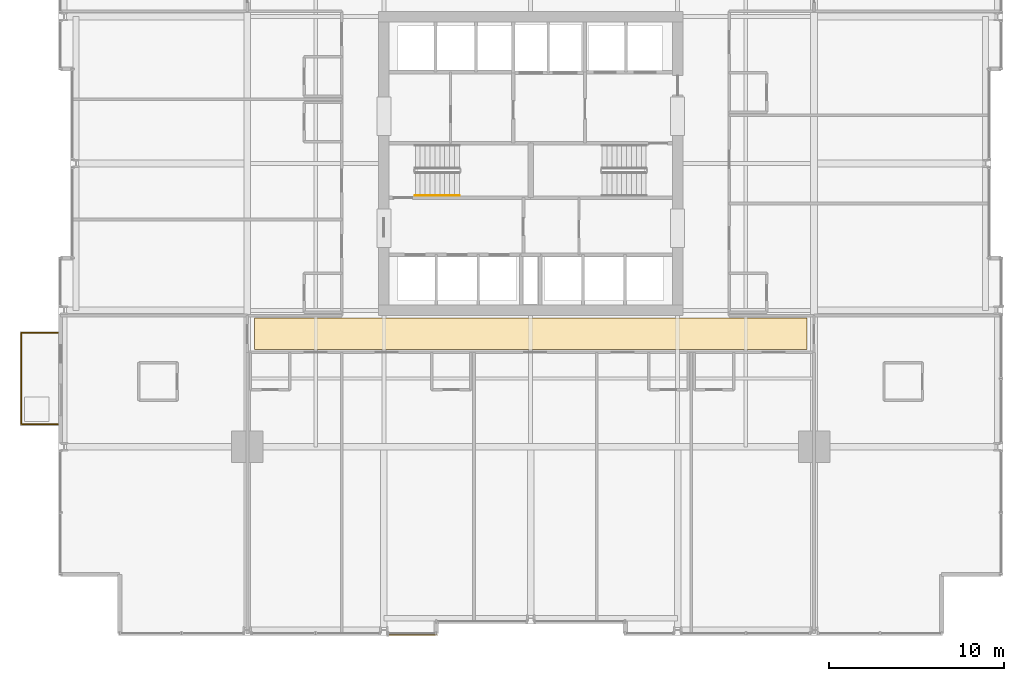
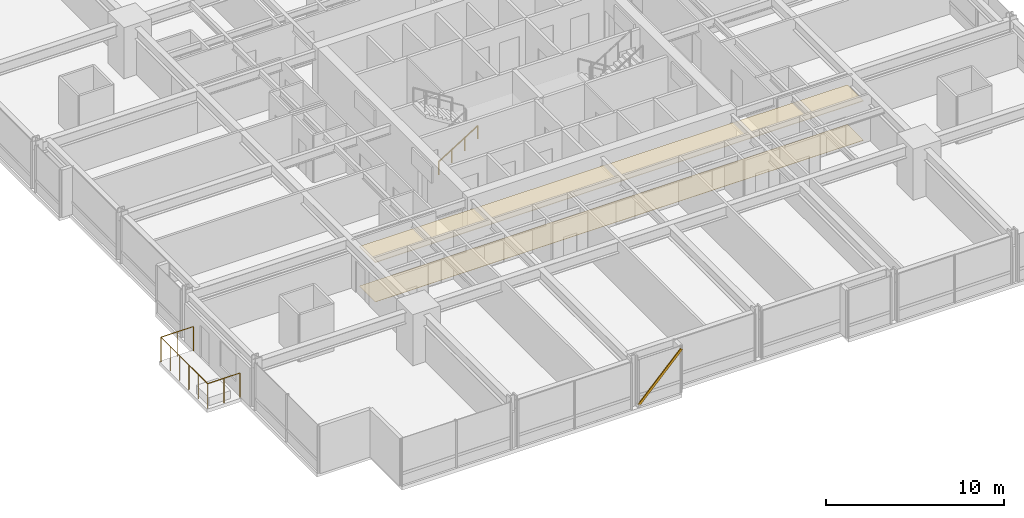
# One storey, part 36 of 38: 2 coverings, 2 railings, 1 shading device.
"""IFC4 building model written with IfcOpenShell, lengths in metres."""

import ifcopenshell
import ifcopenshell.guid

model = None  # the IFC model being written
_history = None  # IfcOwnerHistory: only IFC2X3 demands one
_inside = {}  # id of a spatial element -> (the spatial element, [elements in it])
_under = {}  # id of a project, library or spatial element -> (it, [spatial elements below it])
_declared = {}  # id of a project -> (the project, [libraries it declares])
_typed = {}  # id of a type object -> (the type object, [elements of that type])
_made_of = {}  # id of a material, layer set ... -> (it, [elements and type objects made of it])


def new_model(schema):
    """Start an empty IFC model of exactly this schema.

    Asked for "IFC4X3", IfcOpenShell would pick the latest addendum, in which some entities
    have other attributes; the version numbers below select the first issue.
    IFC2X3 requires an IfcOwnerHistory on every rooted entity: one is made here for all.
    """
    global model, _history
    if schema == "IFC4X3":
        model = ifcopenshell.file(schema_version=(4, 3, 0, 0))
    else:
        model = ifcopenshell.file(schema=schema)
    _inside.clear()
    _under.clear()
    _declared.clear()
    _typed.clear()
    _made_of.clear()
    _history = None
    if model.schema == "IFC2X3":
        org = make("IfcOrganization", Name="unknown")
        user = make(
            "IfcPersonAndOrganization",
            ThePerson=make("IfcPerson", FamilyName="unknown"),
            TheOrganization=org,
        )
        app = make(
            "IfcApplication",
            ApplicationDeveloper=org,
            Version="unknown",
            ApplicationFullName="unknown",
            ApplicationIdentifier="unknown",
        )
        _history = make(
            "IfcOwnerHistory",
            OwningUser=user,
            OwningApplication=app,
            ChangeAction="ADDED",
            CreationDate=0,
        )
    return model


def make(cls, **values):
    """One entity of the class cls with the attributes given. An attribute that is None is left unset."""
    return model.create_entity(
        cls, **{name: value for name, value in values.items() if value is not None}
    )


def rooted(cls, **values):
    """An entity with a GlobalId (a new one), such as an element, a storey or a relation."""
    return make(cls, GlobalId=ifcopenshell.guid.new(), OwnerHistory=_history, **values)


def si_unit(unit_type, name, prefix=None):
    """IfcSIUnit, for example si_unit("LENGTHUNIT", "METRE", prefix="MILLI")."""
    return make("IfcSIUnit", UnitType=unit_type, Prefix=prefix, Name=name)


def assignment(units):
    """IfcUnitAssignment: the units of a project."""
    return None if units is None else make("IfcUnitAssignment", Units=units)


def point(xyz):
    """IfcCartesianPoint."""
    return None if xyz is None else make("IfcCartesianPoint", Coordinates=xyz)


def direction(xyz):
    """IfcDirection."""
    return None if xyz is None else make("IfcDirection", DirectionRatios=xyz)


def frame(location, z_axis=None, x_axis=None):
    """IfcAxis2Placement3D, a coordinate frame: its origin and axes. An axis left out is left unset."""
    return make(
        "IfcAxis2Placement3D",
        Location=point(location),
        Axis=direction(z_axis),
        RefDirection=direction(x_axis),
    )


def frame_2d(location, x_axis=None):
    """IfcAxis2Placement2D, a coordinate frame in the plane: its origin and x axis."""
    return make(
        "IfcAxis2Placement2D", Location=point(location), RefDirection=direction(x_axis)
    )


def origin():
    """The frame at (0, 0, 0) with its axes left unset."""
    return frame((0.0, 0.0, 0.0))


def origin_2d():
    """The frame at (0, 0) in the plane with its x axis left unset."""
    return frame_2d((0.0, 0.0))


def place(relative_to, where):
    """IfcLocalPlacement: puts the frame where relative to a parent placement (None: the world)."""
    return make(
        "IfcLocalPlacement", PlacementRelTo=relative_to, RelativePlacement=where
    )


def context(
    kind, dimensions, precision=None, world=None, true_north=None, identifier=None
):
    """IfcGeometricRepresentationContext, for example the 3D "Model" context."""
    return make(
        "IfcGeometricRepresentationContext",
        ContextIdentifier=identifier,
        ContextType=kind,
        CoordinateSpaceDimension=dimensions,
        Precision=precision,
        WorldCoordinateSystem=world,
        TrueNorth=true_north,
    )


def subcontext(parent, identifier, kind, view, scale=None):
    """IfcGeometricRepresentationSubContext, for example "Body" below "Model"."""
    return make(
        "IfcGeometricRepresentationSubContext",
        ContextIdentifier=identifier,
        ContextType=kind,
        ParentContext=parent,
        TargetScale=scale,
        TargetView=view,
    )


def project(units=None, contexts=None):
    """IfcProject with its units and contexts."""
    return rooted(
        "IfcProject",
        Name="project",
        RepresentationContexts=contexts,
        UnitsInContext=assignment(units),
    )


def spatial(cls, under=None, at=None, **own):
    """A site, building, storey or space (cls), placed at a placement, below another one or the project."""
    s = rooted(cls, ObjectPlacement=at, **own)
    if under is not None:
        _under.setdefault(under.id(), (under, []))[1].append(s)
    return s


def polyline(points):
    """IfcPolyline through the points."""
    return make("IfcPolyline", Points=[point(p) for p in points])


def profile(cls, at=None, kind="AREA", **sizes):
    """A parametric profile (cls). Its sizes go by their IFC names, for example OverallWidth=200.0."""
    return make(cls, ProfileType=kind, Position=at, **sizes)


def hollow_rectangle(**sizes):
    """IfcRectangleHollowProfileDef."""
    return profile("IfcRectangleHollowProfileDef", **sizes)


def circle(**sizes):
    """IfcCircleProfileDef."""
    return profile("IfcCircleProfileDef", **sizes)


def outline(outer, holes=None, kind="AREA"):
    """IfcArbitraryClosedProfileDef: a profile drawn as a closed curve; with holes, ...WithVoids."""
    if holes is None:
        return make("IfcArbitraryClosedProfileDef", ProfileType=kind, OuterCurve=outer)
    return make(
        "IfcArbitraryProfileDefWithVoids",
        ProfileType=kind,
        OuterCurve=outer,
        InnerCurves=holes,
    )


def extrude(swept, where, along, depth):
    """IfcExtrudedAreaSolid: the profile swept, set in the frame where, extruded along a direction by depth."""
    return make(
        "IfcExtrudedAreaSolid",
        SweptArea=swept,
        Position=where,
        ExtrudedDirection=direction(along),
        Depth=depth,
    )


def shape(context_of_items, identifier, shape_type, items):
    """IfcShapeRepresentation: the items that make up one representation, for example the "Body"."""
    return make(
        "IfcShapeRepresentation",
        ContextOfItems=context_of_items,
        RepresentationIdentifier=identifier,
        RepresentationType=shape_type,
        Items=items,
    )


def material(Name=None, Category=None):
    """IfcMaterial."""
    return make("IfcMaterial", Name=Name, Category=Category)


def layer(
    of_material, thickness, ventilated=None, Name=None, Category=None, Priority=None
):
    """IfcMaterialLayer: one layer of a wall or slab, of a material (None: an air gap)."""
    return make(
        "IfcMaterialLayer",
        Material=of_material,
        LayerThickness=thickness,
        IsVentilated=ventilated,
        Name=Name,
        Category=Category,
        Priority=Priority,
    )


def layer_set(layers, Name=None):
    """IfcMaterialLayerSet."""
    return make("IfcMaterialLayerSet", MaterialLayers=layers, LayerSetName=Name)


def material_profile(
    of_material, cross_section, Name=None, Category=None, Priority=None
):
    """IfcMaterialProfile: a cross section and its material."""
    return make(
        "IfcMaterialProfile",
        Name=Name,
        Material=of_material,
        Profile=cross_section,
        Priority=Priority,
        Category=Category,
    )


def profile_set(profiles, Name=None, composite=None):
    """IfcMaterialProfileSet."""
    return make(
        "IfcMaterialProfileSet",
        Name=Name,
        MaterialProfiles=profiles,
        CompositeProfile=composite,
    )


def made_of(thing, what):
    """Note that an element or type object is made of a material, layer set ...; save() writes the relation."""
    if what is not None:
        _made_of.setdefault(what.id(), (what, []))[1].append(thing)
    return thing


def type_object(cls, material=None, **own):
    """A type object (cls), such as IfcWallType, which elements share."""
    return made_of(rooted(cls, **own), material)


def element(
    cls,
    number,
    at=None,
    inside=None,
    cuts=None,
    type_object=None,
    material=None,
    context=None,
    identifier="Body",
    shape_type=None,
    held_by="IfcProductDefinitionShape",
    body=None,
    shapes=None,
    **own,
):
    """One element of the class cls, such as IfcWall. Its Tag is "e" and its number.

    at: its placement. inside: the storey or other place that contains it. cuts: it is an
    opening in that element (IfcRelVoidsElement). A single representation is given by context,
    identifier, shape_type and body (its items); several are given by shapes. held_by: the class
    of the entity that holds the representations. save() writes the other relations.
    """
    e = rooted(cls, Tag="e%d" % number, ObjectPlacement=at, **own)
    if body is not None:
        shapes = [shape(context, identifier, shape_type, body)]
    if shapes is not None:
        e.Representation = make(held_by, Representations=shapes)
    if inside is not None:
        _inside.setdefault(inside.id(), (inside, []))[1].append(e)
    if cuts is not None:
        rooted(
            "IfcRelVoidsElement", RelatingBuildingElement=cuts, RelatedOpeningElement=e
        )
    if type_object is not None:
        _typed.setdefault(type_object.id(), (type_object, []))[1].append(e)
    return made_of(e, material)


def aggregate(whole, parts):
    """IfcRelAggregates: a whole, such as a stair, and the parts it consists of."""
    return rooted("IfcRelAggregates", RelatingObject=whole, RelatedObjects=parts)


def save(model, path):
    """Write the relations noted so far, then the file.

    IfcRelAggregates (storeys below a building ...), IfcRelContainedInSpatialStructure (elements
    in a storey), IfcRelDefinesByType, IfcRelAssociatesMaterial and IfcRelDeclares: one each for
    every whole, place, type object, material and project.
    """
    for whole, parts in _under.values():
        aggregate(whole, parts)
    for where, things in _inside.values():
        rooted(
            "IfcRelContainedInSpatialStructure",
            RelatedElements=things,
            RelatingStructure=where,
        )
    for kind, things in _typed.values():
        rooted("IfcRelDefinesByType", RelatedObjects=things, RelatingType=kind)
    for what, things in _made_of.values():
        rooted("IfcRelAssociatesMaterial", RelatedObjects=things, RelatingMaterial=what)
    for by, libraries in _declared.values():
        rooted("IfcRelDeclares", RelatingContext=by, RelatedDefinitions=libraries)
    model.write(path)


model = new_model("IFC4")

# Units and contexts
model_context = context("Model", 3, precision=1e-05, world=origin(), true_north=direction((0.0, 1.0)))
body_context = subcontext(model_context, "Body", "Model", "MODEL_VIEW")
ifc_project = project(units=[si_unit("LENGTHUNIT", "METRE"), si_unit("AREAUNIT", "SQUARE_METRE"), si_unit("VOLUMEUNIT", "CUBIC_METRE"), si_unit("PLANEANGLEUNIT", "RADIAN"), si_unit("MASSUNIT", "GRAM", prefix="KILO")], contexts=[model_context])

# Site, building, storey
site_placement = place(None, origin())
site = spatial("IfcSite", under=ifc_project, at=site_placement, CompositionType="ELEMENT")
building_placement = place(site_placement, origin())
building = spatial("IfcBuilding", under=site, at=building_placement, Name="Drelvath Grand Hotel", CompositionType="ELEMENT")
storey_placement = place(building_placement, frame((0.0, 0.0, 61.199951171875)))
storey = spatial("IfcBuildingStorey", under=building, at=storey_placement, Name="L14", CompositionType="ELEMENT", Elevation=61.199951171875)

# Railing
ifc_material_1 = material(Name="Painted Steel S275", Category="steel")
railing_type_1 = type_object("IfcRailingType", Name="Core Stair Wall Handrail 900", PredefinedType="HANDRAIL", material=ifc_material_1)
railing_1_placement = place(storey_placement, frame((-6.60009765625, 25.169921875, 0.175048828125)))
element("IfcRailing", 1, at=railing_1_placement, inside=storey, type_object=railing_type_1, Name="L14 ST-1 stair handrail 1", PredefinedType="HANDRAIL", context=body_context, shape_type="SweptSolid", body=[
    extrude(circle(Radius=0.02392578125, at=origin_2d()), frame((0.0, 0.0, 0.8759765625), z_axis=(0.848007534815, 0.0, 0.529984170421), x_axis=(0.0, 1.0, 0.0)), (0.0, 0.0, 1.0), 2.9716796875),
    extrude(circle(Radius=0.02099609375, at=origin_2d()), origin(), (0.0, 0.0, 1.0), 0.851806640625),
    extrude(circle(Radius=0.02099609375, at=origin_2d()), frame((0.840087890625, 0.0, 0.52490234375)), (0.0, 0.0, 1.0), 0.851806640625),
    extrude(circle(Radius=0.02099609375, at=origin_2d()), frame((1.679931640625, 0.0, 1.050048828125)), (0.0, 0.0, 1.0), 0.851806640625),
    extrude(circle(Radius=0.02099609375, at=origin_2d()), frame((2.52001953125, 0.0, 1.574951171875)), (0.0, 0.0, 1.0), 0.851806640625),
])

# Shading device
ifc_material_2 = material(Name="Warm Bronze Anodised Aluminium", Category="aluminium")
ifc_material_profile = material_profile(ifc_material_2, hollow_rectangle(XDim=0.06494140625, YDim=0.159912109375, WallThickness=0.00390625, at=origin_2d()), Name="HSS160X65X4")
ifc_profile_set = profile_set([ifc_material_profile], Name="Warm Bronze Anodised Aluminium")
shading_device_type = type_object("IfcShadingDeviceType", Name="Diagonal Solar Fin Warm Bronze Anodised HSS160X65X4", PredefinedType="USERDEFINED", material=ifc_profile_set)
shading_device_placement = place(storey_placement, frame((-8.1708984375, 0.0400390625, 0.179931640625), z_axis=(0.693322321311, 0.0, 0.720627614494), x_axis=(0.0, 1.0, 0.0)))
element("IfcShadingDevice", 2, at=shading_device_placement, inside=storey, type_object=shading_device_type, Name="L14 Diagonal Anodised Fin CW02-L14-SW3", ObjectType="FIN", PredefinedType="USERDEFINED", context=body_context, shape_type="SweptSolid", body=[
    extrude(hollow_rectangle(XDim=0.06494140625, YDim=0.159912109375, WallThickness=0.00390625, at=origin_2d()), origin(), (0.0, 0.0, 1.0), 3.99658203125),
])

# Coverings
ifc_material_3 = material(Name="Woven Wool Broadloom Carpet")
ifc_layer_1 = layer(ifc_material_3, 0.01806640625)
ifc_layer_set_1 = layer_set([ifc_layer_1], Name="Woven Wool Broadloom Carpet")
covering_type_1 = type_object("IfcCoveringType", Name="Hospitality Broadloom Carpet 18", PredefinedType="FLOORING", material=ifc_layer_set_1)
covering_1_placement = place(storey_placement, origin())
element("IfcCovering", 3, at=covering_1_placement, inside=storey, type_object=covering_type_1, Name="L14 Corridor Broadloom Carpet", PredefinedType="FLOORING", context=body_context, shape_type="SweptSolid", body=[
    extrude(outline(polyline([(15.800048828125, 16.35009765625), (15.800048828125, 18.14990234375), (-15.800048828125, 18.14990234375), (-15.800048828125, 16.35009765625), (15.800048828125, 16.35009765625)])), origin(), (0.0, 0.0, 1.0), 0.01806640625),
])
ifc_material_4 = material(Name="Anodised Aluminium Alloy", Category="aluminium")
ifc_layer_2 = layer(ifc_material_4, 0.0400390625)
ifc_layer_set_2 = layer_set([ifc_layer_2], Name="Anodised Aluminium Alloy")
covering_type_2 = type_object("IfcCoveringType", Name="Perforated Metal Corridor Ceiling 40", PredefinedType="CEILING", material=ifc_layer_set_2)
covering_2_placement = place(storey_placement, frame((0.0, 0.0, 2.68994140625)))
element("IfcCovering", 4, at=covering_2_placement, inside=storey, type_object=covering_type_2, Name="L14 Corridor Acoustic Ceiling", PredefinedType="CEILING", context=body_context, shape_type="SweptSolid", body=[
    extrude(outline(polyline([(15.800048828125, 16.35009765625), (15.800048828125, 18.14990234375), (-15.800048828125, 18.14990234375), (-15.800048828125, 16.35009765625), (15.800048828125, 16.35009765625)])), origin(), (0.0, 0.0, 1.0), 0.0400390625),
])

# Railing
ifc_material_5 = material(Name="Anodised Aluminium and Laminated Glass Balustrade", Category="aluminium")
railing_type_2 = type_object("IfcRailingType", Name="Raised Planter Edge Balustrade 1700", PredefinedType="BALUSTRADE", material=ifc_material_5)
railing_2_placement = place(storey_placement, frame((-27.02001953125, 12.080078125, 0.0)))
element("IfcRailing", 5, at=railing_2_placement, inside=storey, type_object=railing_type_2, Name="L14 Tree Balcony Perimeter Balustrade 1", PredefinedType="BALUSTRADE", context=body_context, shape_type="SweptSolid", body=[
    extrude(circle(Radius=0.02392578125, at=origin_2d()), frame((0.0, 0.0, 1.67578125), z_axis=(-1.0, 0.0, 0.0), x_axis=(0.0, -1.0, 0.0)), (0.0, 0.0, 1.0), 2.10009765625),
    extrude(circle(Radius=0.02392578125, at=origin_2d()), frame((-2.10009765625, 0.0, 1.67578125), z_axis=(0.0, 1.0, 0.0), x_axis=(-1.0, 0.0, 0.0)), (0.0, 0.0, 1.0), 5.239990234375),
    extrude(circle(Radius=0.02392578125, at=origin_2d()), frame((-2.10009765625, 5.239990234375, 1.67578125), z_axis=(1.0, 0.0, 0.0), x_axis=(0.0, 1.0, 0.0)), (0.0, 0.0, 1.0), 2.10009765625),
    extrude(circle(Radius=0.02099609375, at=origin_2d()), origin(), (0.0, 0.0, 1.0), 1.65185546875),
    extrude(circle(Radius=0.02099609375, at=origin_2d()), frame((-1.050048828125, 0.0, 0.0)), (0.0, 0.0, 1.0), 1.65185546875),
    extrude(circle(Radius=0.02099609375, at=origin_2d()), frame((-2.10009765625, 0.0, 0.0)), (0.0, 0.0, 1.0), 1.65185546875),
    extrude(circle(Radius=0.02099609375, at=origin_2d()), frame((-2.10009765625, 1.048095703125, 0.0)), (0.0, 0.0, 1.0), 1.65185546875),
    extrude(circle(Radius=0.02099609375, at=origin_2d()), frame((-2.10009765625, 2.095947265625, 0.0)), (0.0, 0.0, 1.0), 1.65185546875),
    extrude(circle(Radius=0.02099609375, at=origin_2d()), frame((-2.10009765625, 3.14404296875, 0.0)), (0.0, 0.0, 1.0), 1.65185546875),
    extrude(circle(Radius=0.02099609375, at=origin_2d()), frame((-2.10009765625, 4.19189453125, 0.0)), (0.0, 0.0, 1.0), 1.65185546875),
    extrude(circle(Radius=0.02099609375, at=origin_2d()), frame((-2.10009765625, 5.239990234375, 0.0)), (0.0, 0.0, 1.0), 1.65185546875),
    extrude(circle(Radius=0.02099609375, at=origin_2d()), frame((-1.050048828125, 5.239990234375, 0.0)), (0.0, 0.0, 1.0), 1.65185546875),
    extrude(circle(Radius=0.02099609375, at=origin_2d()), frame((0.0, 5.239990234375, 0.0)), (0.0, 0.0, 1.0), 1.65185546875),
])

save(model, "model.ifc")
